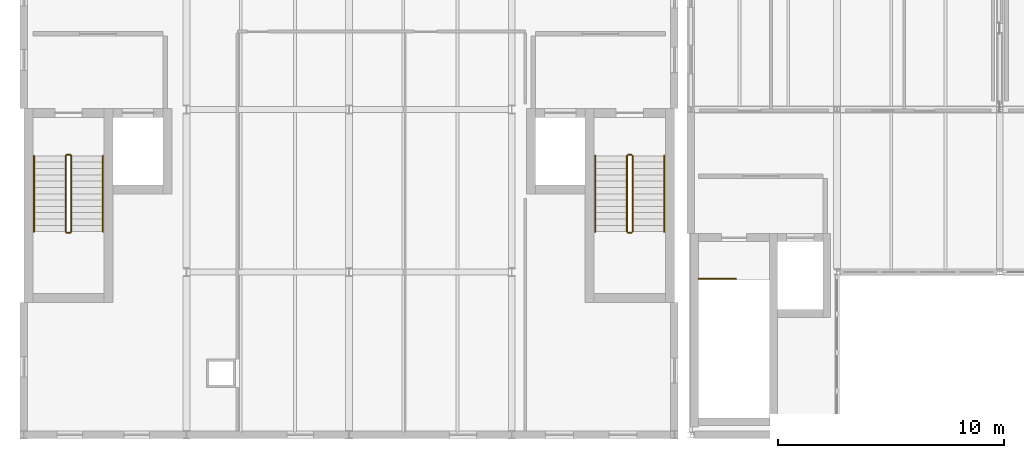
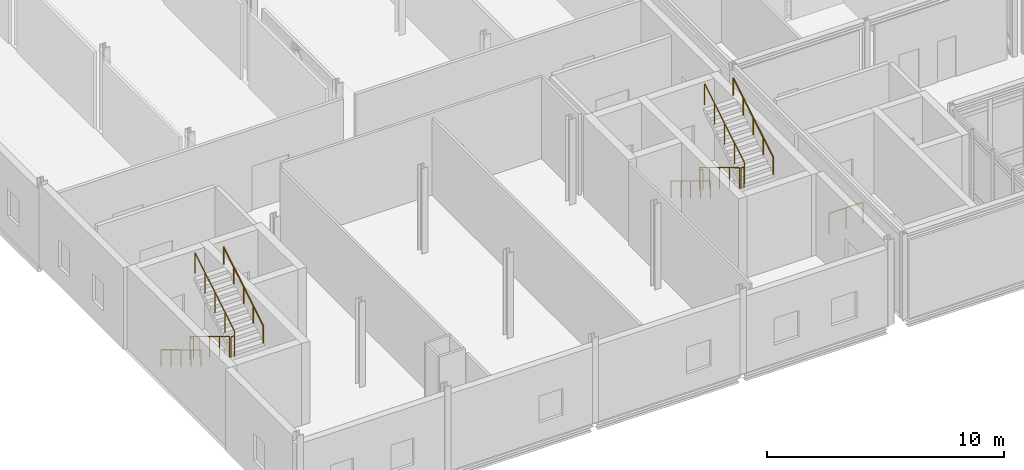
# One storey, part 38 of 43: 13 railings.
"""IFC4 building model written with IfcOpenShell, lengths in metres."""

import ifcopenshell
import ifcopenshell.guid

model = None  # the IFC model being written
_history = None  # IfcOwnerHistory: only IFC2X3 demands one
_inside = {}  # id of a spatial element -> (the spatial element, [elements in it])
_under = {}  # id of a project, library or spatial element -> (it, [spatial elements below it])
_declared = {}  # id of a project -> (the project, [libraries it declares])
_typed = {}  # id of a type object -> (the type object, [elements of that type])
_made_of = {}  # id of a material, layer set ... -> (it, [elements and type objects made of it])


def new_model(schema):
    """Start an empty IFC model of exactly this schema.

    Asked for "IFC4X3", IfcOpenShell would pick the latest addendum, in which some entities
    have other attributes; the version numbers below select the first issue.
    IFC2X3 requires an IfcOwnerHistory on every rooted entity: one is made here for all.
    """
    global model, _history
    if schema == "IFC4X3":
        model = ifcopenshell.file(schema_version=(4, 3, 0, 0))
    else:
        model = ifcopenshell.file(schema=schema)
    _inside.clear()
    _under.clear()
    _declared.clear()
    _typed.clear()
    _made_of.clear()
    _history = None
    if model.schema == "IFC2X3":
        org = make("IfcOrganization", Name="unknown")
        user = make(
            "IfcPersonAndOrganization",
            ThePerson=make("IfcPerson", FamilyName="unknown"),
            TheOrganization=org,
        )
        app = make(
            "IfcApplication",
            ApplicationDeveloper=org,
            Version="unknown",
            ApplicationFullName="unknown",
            ApplicationIdentifier="unknown",
        )
        _history = make(
            "IfcOwnerHistory",
            OwningUser=user,
            OwningApplication=app,
            ChangeAction="ADDED",
            CreationDate=0,
        )
    return model


def make(cls, **values):
    """One entity of the class cls with the attributes given. An attribute that is None is left unset."""
    return model.create_entity(
        cls, **{name: value for name, value in values.items() if value is not None}
    )


def rooted(cls, **values):
    """An entity with a GlobalId (a new one), such as an element, a storey or a relation."""
    return make(cls, GlobalId=ifcopenshell.guid.new(), OwnerHistory=_history, **values)


def si_unit(unit_type, name, prefix=None):
    """IfcSIUnit, for example si_unit("LENGTHUNIT", "METRE", prefix="MILLI")."""
    return make("IfcSIUnit", UnitType=unit_type, Prefix=prefix, Name=name)


def assignment(units):
    """IfcUnitAssignment: the units of a project."""
    return None if units is None else make("IfcUnitAssignment", Units=units)


def point(xyz):
    """IfcCartesianPoint."""
    return None if xyz is None else make("IfcCartesianPoint", Coordinates=xyz)


def direction(xyz):
    """IfcDirection."""
    return None if xyz is None else make("IfcDirection", DirectionRatios=xyz)


def frame(location, z_axis=None, x_axis=None):
    """IfcAxis2Placement3D, a coordinate frame: its origin and axes. An axis left out is left unset."""
    return make(
        "IfcAxis2Placement3D",
        Location=point(location),
        Axis=direction(z_axis),
        RefDirection=direction(x_axis),
    )


def frame_2d(location, x_axis=None):
    """IfcAxis2Placement2D, a coordinate frame in the plane: its origin and x axis."""
    return make(
        "IfcAxis2Placement2D", Location=point(location), RefDirection=direction(x_axis)
    )


def origin():
    """The frame at (0, 0, 0) with its axes left unset."""
    return frame((0.0, 0.0, 0.0))


def origin_2d():
    """The frame at (0, 0) in the plane with its x axis left unset."""
    return frame_2d((0.0, 0.0))


def place(relative_to, where):
    """IfcLocalPlacement: puts the frame where relative to a parent placement (None: the world)."""
    return make(
        "IfcLocalPlacement", PlacementRelTo=relative_to, RelativePlacement=where
    )


def context(
    kind, dimensions, precision=None, world=None, true_north=None, identifier=None
):
    """IfcGeometricRepresentationContext, for example the 3D "Model" context."""
    return make(
        "IfcGeometricRepresentationContext",
        ContextIdentifier=identifier,
        ContextType=kind,
        CoordinateSpaceDimension=dimensions,
        Precision=precision,
        WorldCoordinateSystem=world,
        TrueNorth=true_north,
    )


def subcontext(parent, identifier, kind, view, scale=None):
    """IfcGeometricRepresentationSubContext, for example "Body" below "Model"."""
    return make(
        "IfcGeometricRepresentationSubContext",
        ContextIdentifier=identifier,
        ContextType=kind,
        ParentContext=parent,
        TargetScale=scale,
        TargetView=view,
    )


def project(units=None, contexts=None):
    """IfcProject with its units and contexts."""
    return rooted(
        "IfcProject",
        Name="project",
        RepresentationContexts=contexts,
        UnitsInContext=assignment(units),
    )


def spatial(cls, under=None, at=None, **own):
    """A site, building, storey or space (cls), placed at a placement, below another one or the project."""
    s = rooted(cls, ObjectPlacement=at, **own)
    if under is not None:
        _under.setdefault(under.id(), (under, []))[1].append(s)
    return s


def profile(cls, at=None, kind="AREA", **sizes):
    """A parametric profile (cls). Its sizes go by their IFC names, for example OverallWidth=200.0."""
    return make(cls, ProfileType=kind, Position=at, **sizes)


def circle(**sizes):
    """IfcCircleProfileDef."""
    return profile("IfcCircleProfileDef", **sizes)


def extrude(swept, where, along, depth):
    """IfcExtrudedAreaSolid: the profile swept, set in the frame where, extruded along a direction by depth."""
    return make(
        "IfcExtrudedAreaSolid",
        SweptArea=swept,
        Position=where,
        ExtrudedDirection=direction(along),
        Depth=depth,
    )


def shape(context_of_items, identifier, shape_type, items):
    """IfcShapeRepresentation: the items that make up one representation, for example the "Body"."""
    return make(
        "IfcShapeRepresentation",
        ContextOfItems=context_of_items,
        RepresentationIdentifier=identifier,
        RepresentationType=shape_type,
        Items=items,
    )


def material(Name=None, Category=None):
    """IfcMaterial."""
    return make("IfcMaterial", Name=Name, Category=Category)


def layer(
    of_material, thickness, ventilated=None, Name=None, Category=None, Priority=None
):
    """IfcMaterialLayer: one layer of a wall or slab, of a material (None: an air gap)."""
    return make(
        "IfcMaterialLayer",
        Material=of_material,
        LayerThickness=thickness,
        IsVentilated=ventilated,
        Name=Name,
        Category=Category,
        Priority=Priority,
    )


def layer_set(layers, Name=None):
    """IfcMaterialLayerSet."""
    return make("IfcMaterialLayerSet", MaterialLayers=layers, LayerSetName=Name)


def made_of(thing, what):
    """Note that an element or type object is made of a material, layer set ...; save() writes the relation."""
    if what is not None:
        _made_of.setdefault(what.id(), (what, []))[1].append(thing)
    return thing


def type_object(cls, material=None, **own):
    """A type object (cls), such as IfcWallType, which elements share."""
    return made_of(rooted(cls, **own), material)


def element(
    cls,
    number,
    at=None,
    inside=None,
    cuts=None,
    type_object=None,
    material=None,
    context=None,
    identifier="Body",
    shape_type=None,
    held_by="IfcProductDefinitionShape",
    body=None,
    shapes=None,
    **own,
):
    """One element of the class cls, such as IfcWall. Its Tag is "e" and its number.

    at: its placement. inside: the storey or other place that contains it. cuts: it is an
    opening in that element (IfcRelVoidsElement). A single representation is given by context,
    identifier, shape_type and body (its items); several are given by shapes. held_by: the class
    of the entity that holds the representations. save() writes the other relations.
    """
    e = rooted(cls, Tag="e%d" % number, ObjectPlacement=at, **own)
    if body is not None:
        shapes = [shape(context, identifier, shape_type, body)]
    if shapes is not None:
        e.Representation = make(held_by, Representations=shapes)
    if inside is not None:
        _inside.setdefault(inside.id(), (inside, []))[1].append(e)
    if cuts is not None:
        rooted(
            "IfcRelVoidsElement", RelatingBuildingElement=cuts, RelatedOpeningElement=e
        )
    if type_object is not None:
        _typed.setdefault(type_object.id(), (type_object, []))[1].append(e)
    return made_of(e, material)


def aggregate(whole, parts):
    """IfcRelAggregates: a whole, such as a stair, and the parts it consists of."""
    return rooted("IfcRelAggregates", RelatingObject=whole, RelatedObjects=parts)


def save(model, path):
    """Write the relations noted so far, then the file.

    IfcRelAggregates (storeys below a building ...), IfcRelContainedInSpatialStructure (elements
    in a storey), IfcRelDefinesByType, IfcRelAssociatesMaterial and IfcRelDeclares: one each for
    every whole, place, type object, material and project.
    """
    for whole, parts in _under.values():
        aggregate(whole, parts)
    for where, things in _inside.values():
        rooted(
            "IfcRelContainedInSpatialStructure",
            RelatedElements=things,
            RelatingStructure=where,
        )
    for kind, things in _typed.values():
        rooted("IfcRelDefinesByType", RelatedObjects=things, RelatingType=kind)
    for what, things in _made_of.values():
        rooted("IfcRelAssociatesMaterial", RelatedObjects=things, RelatingMaterial=what)
    for by, libraries in _declared.values():
        rooted("IfcRelDeclares", RelatingContext=by, RelatedDefinitions=libraries)
    model.write(path)


model = new_model("IFC4")

# Units and contexts
model_context = context("Model", 3, precision=1e-05, world=origin(), true_north=direction((0.0, 1.0)))
body_context = subcontext(model_context, "Body", "Model", "MODEL_VIEW")
ifc_project = project(units=[si_unit("LENGTHUNIT", "METRE"), si_unit("AREAUNIT", "SQUARE_METRE"), si_unit("VOLUMEUNIT", "CUBIC_METRE"), si_unit("PLANEANGLEUNIT", "RADIAN"), si_unit("MASSUNIT", "GRAM", prefix="KILO")], contexts=[model_context])

# Site, building, storey
site_placement = place(None, origin())
site = spatial("IfcSite", under=ifc_project, at=site_placement, CompositionType="ELEMENT")
building_placement = place(site_placement, origin())
building = spatial("IfcBuilding", under=site, at=building_placement, Name="Zarrinpeak Specialist Clinic", CompositionType="ELEMENT")
storey_placement = place(building_placement, frame((0.0, 0.0, 18.39990234375)))
storey = spatial("IfcBuildingStorey", under=building, at=storey_placement, Name="L04", CompositionType="ELEMENT", Elevation=18.39990234375)

# Railings
ifc_material_1 = material(Name="Laminated Safety Glass and Stainless Steel 316", Category="steel")
ifc_layer_1 = layer(ifc_material_1, 0.06005859375)
ifc_layer_set_1 = layer_set([ifc_layer_1], Name="Laminated Safety Glass and Stainless Steel 316")
railing_type_1 = type_object("IfcRailingType", Name="RL-GRD115", PredefinedType="GUARDRAIL", material=ifc_layer_set_1)
railing_1_placement = place(storey_placement, frame((1.85009765625, 12.35009765625, 0.16943359375)))
element("IfcRailing", 1, at=railing_1_placement, inside=storey, type_object=railing_type_1, Name="L04 ST-01 stair guard 1", PredefinedType="GUARDRAIL", context=body_context, shape_type="SweptSolid", body=[
    extrude(circle(Radius=0.02392578125, at=origin_2d()), frame((0.0, 0.0, 1.076171875), z_axis=(0.0, -0.855836976705, 0.517245656632), x_axis=(1.0, 0.0, 0.0)), (0.0, 0.0, 1.0), 3.926025390625),
    extrude(circle(Radius=0.02099609375, at=origin_2d()), origin(), (0.0, 0.0, 1.0), 1.052001953125),
    extrude(circle(Radius=0.02099609375, at=origin_2d()), frame((0.0, -0.840087890625, 0.5078125)), (0.0, 0.0, 1.0), 1.052001953125),
    extrude(circle(Radius=0.02099609375, at=origin_2d()), frame((0.0, -1.68017578125, 1.015380859375)), (0.0, 0.0, 1.0), 1.052001953125),
    extrude(circle(Radius=0.02099609375, at=origin_2d()), frame((0.0, -2.52001953125, 1.52294921875)), (0.0, 0.0, 1.0), 1.052001953125),
    extrude(circle(Radius=0.02099609375, at=origin_2d()), frame((0.0, -3.360107421875, 2.03076171875)), (0.0, 0.0, 1.0), 1.052001953125),
])
railing_2_placement = place(storey_placement, frame((1.89990234375, 8.93994140625, 2.2001953125)))
element("IfcRailing", 2, at=railing_2_placement, inside=storey, type_object=railing_type_1, Name="L04 ST-01 stair guard 2", PredefinedType="GUARDRAIL", context=body_context, shape_type="SweptSolid", body=[
    extrude(circle(Radius=0.02392578125, at=origin_2d()), frame((0.0, 0.0, 1.076171875), z_axis=(1.0, 0.0, 0.0), x_axis=(0.0, 1.0, 0.0)), (0.0, 0.0, 1.0), 0.150146484375),
    extrude(circle(Radius=0.02099609375, at=origin_2d()), origin(), (0.0, 0.0, 1.0), 1.052001953125),
    extrude(circle(Radius=0.02099609375, at=origin_2d()), frame((0.150146484375, 0.0, 0.0)), (0.0, 0.0, 1.0), 1.052001953125),
])
railing_3_placement = place(storey_placement, frame((2.10009765625, 8.989990234375, 2.369384765625)))
element("IfcRailing", 3, at=railing_3_placement, inside=storey, type_object=railing_type_1, Name="L04 ST-01 stair guard 3", PredefinedType="GUARDRAIL", context=body_context, shape_type="SweptSolid", body=[
    extrude(circle(Radius=0.02392578125, at=origin_2d()), frame((0.0, 0.0, 1.076171875), z_axis=(0.0, 0.855836976705, 0.517245656632), x_axis=(-1.0, 0.0, 0.0)), (0.0, 0.0, 1.0), 3.926025390625),
    extrude(circle(Radius=0.02099609375, at=origin_2d()), origin(), (0.0, 0.0, 1.0), 1.052001953125),
    extrude(circle(Radius=0.02099609375, at=origin_2d()), frame((0.0, 0.840087890625, 0.5078125)), (0.0, 0.0, 1.0), 1.052001953125),
    extrude(circle(Radius=0.02099609375, at=origin_2d()), frame((0.0, 1.68017578125, 1.015380859375)), (0.0, 0.0, 1.0), 1.052001953125),
    extrude(circle(Radius=0.02099609375, at=origin_2d()), frame((0.0, 2.52001953125, 1.52294921875)), (0.0, 0.0, 1.0), 1.052001953125),
    extrude(circle(Radius=0.02099609375, at=origin_2d()), frame((0.0, 3.360107421875, 2.03076171875)), (0.0, 0.0, 1.0), 1.052001953125),
])
railing_4_placement = place(storey_placement, frame((1.89990234375, 12.39990234375, 0.0)))
element("IfcRailing", 4, at=railing_4_placement, inside=storey, type_object=railing_type_1, Name="L04 ST-01 stair guard 4", PredefinedType="GUARDRAIL", context=body_context, shape_type="SweptSolid", body=[
    extrude(circle(Radius=0.02392578125, at=origin_2d()), frame((0.0, 0.0, 1.076171875), z_axis=(1.0, 0.0, 0.0), x_axis=(0.0, 1.0, 0.0)), (0.0, 0.0, 1.0), 0.150146484375),
    extrude(circle(Radius=0.02099609375, at=origin_2d()), origin(), (0.0, 0.0, 1.0), 1.052001953125),
    extrude(circle(Radius=0.02099609375, at=origin_2d()), frame((0.150146484375, 0.0, 0.0)), (0.0, 0.0, 1.0), 1.052001953125),
])
railing_5_placement = place(storey_placement, frame((26.699951171875, 12.35009765625, 0.16943359375)))
element("IfcRailing", 5, at=railing_5_placement, inside=storey, type_object=railing_type_1, Name="L04 ST-02 stair guard 1", PredefinedType="GUARDRAIL", context=body_context, shape_type="SweptSolid", body=[
    extrude(circle(Radius=0.02392578125, at=origin_2d()), frame((0.0, 0.0, 1.076171875), z_axis=(0.0, -0.855836976705, 0.517245656632), x_axis=(1.0, 0.0, 0.0)), (0.0, 0.0, 1.0), 3.926025390625),
    extrude(circle(Radius=0.02099609375, at=origin_2d()), origin(), (0.0, 0.0, 1.0), 1.052001953125),
    extrude(circle(Radius=0.02099609375, at=origin_2d()), frame((0.0, -0.840087890625, 0.5078125)), (0.0, 0.0, 1.0), 1.052001953125),
    extrude(circle(Radius=0.02099609375, at=origin_2d()), frame((0.0, -1.68017578125, 1.015380859375)), (0.0, 0.0, 1.0), 1.052001953125),
    extrude(circle(Radius=0.02099609375, at=origin_2d()), frame((0.0, -2.52001953125, 1.52294921875)), (0.0, 0.0, 1.0), 1.052001953125),
    extrude(circle(Radius=0.02099609375, at=origin_2d()), frame((0.0, -3.360107421875, 2.03076171875)), (0.0, 0.0, 1.0), 1.052001953125),
])
railing_6_placement = place(storey_placement, frame((26.75, 8.93994140625, 2.2001953125)))
element("IfcRailing", 6, at=railing_6_placement, inside=storey, type_object=railing_type_1, Name="L04 ST-02 stair guard 2", PredefinedType="GUARDRAIL", context=body_context, shape_type="SweptSolid", body=[
    extrude(circle(Radius=0.02392578125, at=origin_2d()), frame((0.0, 0.0, 1.076171875), z_axis=(1.0, 0.0, 0.0), x_axis=(0.0, 1.0, 0.0)), (0.0, 0.0, 1.0), 0.14990234375),
    extrude(circle(Radius=0.02099609375, at=origin_2d()), origin(), (0.0, 0.0, 1.0), 1.052001953125),
    extrude(circle(Radius=0.02099609375, at=origin_2d()), frame((0.14990234375, 0.0, 0.0)), (0.0, 0.0, 1.0), 1.052001953125),
])
railing_7_placement = place(storey_placement, frame((26.949951171875, 8.989990234375, 2.369384765625)))
element("IfcRailing", 7, at=railing_7_placement, inside=storey, type_object=railing_type_1, Name="L04 ST-02 stair guard 3", PredefinedType="GUARDRAIL", context=body_context, shape_type="SweptSolid", body=[
    extrude(circle(Radius=0.02392578125, at=origin_2d()), frame((0.0, 0.0, 1.076171875), z_axis=(0.0, 0.855836976705, 0.517245656632), x_axis=(-1.0, 0.0, 0.0)), (0.0, 0.0, 1.0), 3.926025390625),
    extrude(circle(Radius=0.02099609375, at=origin_2d()), origin(), (0.0, 0.0, 1.0), 1.052001953125),
    extrude(circle(Radius=0.02099609375, at=origin_2d()), frame((0.0, 0.840087890625, 0.5078125)), (0.0, 0.0, 1.0), 1.052001953125),
    extrude(circle(Radius=0.02099609375, at=origin_2d()), frame((0.0, 1.68017578125, 1.015380859375)), (0.0, 0.0, 1.0), 1.052001953125),
    extrude(circle(Radius=0.02099609375, at=origin_2d()), frame((0.0, 2.52001953125, 1.52294921875)), (0.0, 0.0, 1.0), 1.052001953125),
    extrude(circle(Radius=0.02099609375, at=origin_2d()), frame((0.0, 3.360107421875, 2.03076171875)), (0.0, 0.0, 1.0), 1.052001953125),
])
railing_8_placement = place(storey_placement, frame((26.75, 12.39990234375, 0.0)))
element("IfcRailing", 8, at=railing_8_placement, inside=storey, type_object=railing_type_1, Name="L04 ST-02 stair guard 4", PredefinedType="GUARDRAIL", context=body_context, shape_type="SweptSolid", body=[
    extrude(circle(Radius=0.02392578125, at=origin_2d()), frame((0.0, 0.0, 1.076171875), z_axis=(1.0, 0.0, 0.0), x_axis=(0.0, 1.0, 0.0)), (0.0, 0.0, 1.0), 0.14990234375),
    extrude(circle(Radius=0.02099609375, at=origin_2d()), origin(), (0.0, 0.0, 1.0), 1.052001953125),
    extrude(circle(Radius=0.02099609375, at=origin_2d()), frame((0.14990234375, 0.0, 0.0)), (0.0, 0.0, 1.0), 1.052001953125),
])
railing_9_placement = place(storey_placement, frame((29.8701171875, 6.89990234375, 0.0)))
element("IfcRailing", 9, at=railing_9_placement, inside=storey, type_object=railing_type_1, Name="L04 ST-03 top well guard 1", PredefinedType="GUARDRAIL", context=body_context, shape_type="SweptSolid", body=[
    extrude(circle(Radius=0.02392578125, at=origin_2d()), frame((0.0, 0.0, 1.076171875), z_axis=(1.0, 0.0, 0.0), x_axis=(0.0, 1.0, 0.0)), (0.0, 0.0, 1.0), 1.64990234375),
    extrude(circle(Radius=0.02099609375, at=origin_2d()), origin(), (0.0, 0.0, 1.0), 1.052001953125),
    extrude(circle(Radius=0.02099609375, at=origin_2d()), frame((0.824951171875, 0.0, 0.0)), (0.0, 0.0, 1.0), 1.052001953125),
    extrude(circle(Radius=0.02099609375, at=origin_2d()), frame((1.64990234375, 0.0, 0.0)), (0.0, 0.0, 1.0), 1.052001953125),
])
ifc_material_2 = material(Name="Brushed Stainless Steel 316 Handrail", Category="steel")
ifc_layer_2 = layer(ifc_material_2, 0.050048828125)
ifc_layer_set_2 = layer_set([ifc_layer_2], Name="Brushed Stainless Steel 316 Handrail")
railing_type_2 = type_object("IfcRailingType", Name="RL-HND92", PredefinedType="HANDRAIL", material=ifc_layer_set_2)
railing_10_placement = place(storey_placement, frame((0.449951171875, 12.35009765625, 0.16943359375)))
element("IfcRailing", 10, at=railing_10_placement, inside=storey, type_object=railing_type_2, Name="L04 ST-01 stair handrail 1", PredefinedType="HANDRAIL", context=body_context, shape_type="SweptSolid", body=[
    extrude(circle(Radius=0.02392578125, at=origin_2d()), frame((0.0, 0.0, 0.8759765625), z_axis=(0.0, -0.855836976705, 0.517245656632), x_axis=(1.0, 0.0, 0.0)), (0.0, 0.0, 1.0), 3.926025390625),
    extrude(circle(Radius=0.02099609375, at=origin_2d()), origin(), (0.0, 0.0, 1.0), 0.851806640625),
    extrude(circle(Radius=0.02099609375, at=origin_2d()), frame((0.0, -0.840087890625, 0.5078125)), (0.0, 0.0, 1.0), 0.851806640625),
    extrude(circle(Radius=0.02099609375, at=origin_2d()), frame((0.0, -1.68017578125, 1.015380859375)), (0.0, 0.0, 1.0), 0.851806640625),
    extrude(circle(Radius=0.02099609375, at=origin_2d()), frame((0.0, -2.52001953125, 1.52294921875)), (0.0, 0.0, 1.0), 0.851806640625),
    extrude(circle(Radius=0.02099609375, at=origin_2d()), frame((0.0, -3.360107421875, 2.03076171875)), (0.0, 0.0, 1.0), 0.851806640625),
])
railing_11_placement = place(storey_placement, frame((3.5, 8.989990234375, 2.369384765625)))
element("IfcRailing", 11, at=railing_11_placement, inside=storey, type_object=railing_type_2, Name="L04 ST-01 stair handrail 2", PredefinedType="HANDRAIL", context=body_context, shape_type="SweptSolid", body=[
    extrude(circle(Radius=0.02392578125, at=origin_2d()), frame((0.0, 0.0, 0.8759765625), z_axis=(0.0, 0.855836976705, 0.517245656632), x_axis=(-1.0, 0.0, 0.0)), (0.0, 0.0, 1.0), 3.926025390625),
    extrude(circle(Radius=0.02099609375, at=origin_2d()), origin(), (0.0, 0.0, 1.0), 0.851806640625),
    extrude(circle(Radius=0.02099609375, at=origin_2d()), frame((0.0, 0.840087890625, 0.5078125)), (0.0, 0.0, 1.0), 0.851806640625),
    extrude(circle(Radius=0.02099609375, at=origin_2d()), frame((0.0, 1.68017578125, 1.015380859375)), (0.0, 0.0, 1.0), 0.851806640625),
    extrude(circle(Radius=0.02099609375, at=origin_2d()), frame((0.0, 2.52001953125, 1.52294921875)), (0.0, 0.0, 1.0), 0.851806640625),
    extrude(circle(Radius=0.02099609375, at=origin_2d()), frame((0.0, 3.360107421875, 2.03076171875)), (0.0, 0.0, 1.0), 0.851806640625),
])
railing_12_placement = place(storey_placement, frame((25.300048828125, 12.35009765625, 0.16943359375)))
element("IfcRailing", 12, at=railing_12_placement, inside=storey, type_object=railing_type_2, Name="L04 ST-02 stair handrail 1", PredefinedType="HANDRAIL", context=body_context, shape_type="SweptSolid", body=[
    extrude(circle(Radius=0.02392578125, at=origin_2d()), frame((0.0, 0.0, 0.8759765625), z_axis=(0.0, -0.855836976705, 0.517245656632), x_axis=(1.0, 0.0, 0.0)), (0.0, 0.0, 1.0), 3.926025390625),
    extrude(circle(Radius=0.02099609375, at=origin_2d()), origin(), (0.0, 0.0, 1.0), 0.851806640625),
    extrude(circle(Radius=0.02099609375, at=origin_2d()), frame((0.0, -0.840087890625, 0.5078125)), (0.0, 0.0, 1.0), 0.851806640625),
    extrude(circle(Radius=0.02099609375, at=origin_2d()), frame((0.0, -1.68017578125, 1.015380859375)), (0.0, 0.0, 1.0), 0.851806640625),
    extrude(circle(Radius=0.02099609375, at=origin_2d()), frame((0.0, -2.52001953125, 1.52294921875)), (0.0, 0.0, 1.0), 0.851806640625),
    extrude(circle(Radius=0.02099609375, at=origin_2d()), frame((0.0, -3.360107421875, 2.03076171875)), (0.0, 0.0, 1.0), 0.851806640625),
])
railing_13_placement = place(storey_placement, frame((28.35009765625, 8.989990234375, 2.369384765625)))
element("IfcRailing", 13, at=railing_13_placement, inside=storey, type_object=railing_type_2, Name="L04 ST-02 stair handrail 2", PredefinedType="HANDRAIL", context=body_context, shape_type="SweptSolid", body=[
    extrude(circle(Radius=0.02392578125, at=origin_2d()), frame((0.0, 0.0, 0.8759765625), z_axis=(0.0, 0.855836976705, 0.517245656632), x_axis=(-1.0, 0.0, 0.0)), (0.0, 0.0, 1.0), 3.926025390625),
    extrude(circle(Radius=0.02099609375, at=origin_2d()), origin(), (0.0, 0.0, 1.0), 0.851806640625),
    extrude(circle(Radius=0.02099609375, at=origin_2d()), frame((0.0, 0.840087890625, 0.5078125)), (0.0, 0.0, 1.0), 0.851806640625),
    extrude(circle(Radius=0.02099609375, at=origin_2d()), frame((0.0, 1.68017578125, 1.015380859375)), (0.0, 0.0, 1.0), 0.851806640625),
    extrude(circle(Radius=0.02099609375, at=origin_2d()), frame((0.0, 2.52001953125, 1.52294921875)), (0.0, 0.0, 1.0), 0.851806640625),
    extrude(circle(Radius=0.02099609375, at=origin_2d()), frame((0.0, 3.360107421875, 2.03076171875)), (0.0, 0.0, 1.0), 0.851806640625),
])

save(model, "model.ifc")
